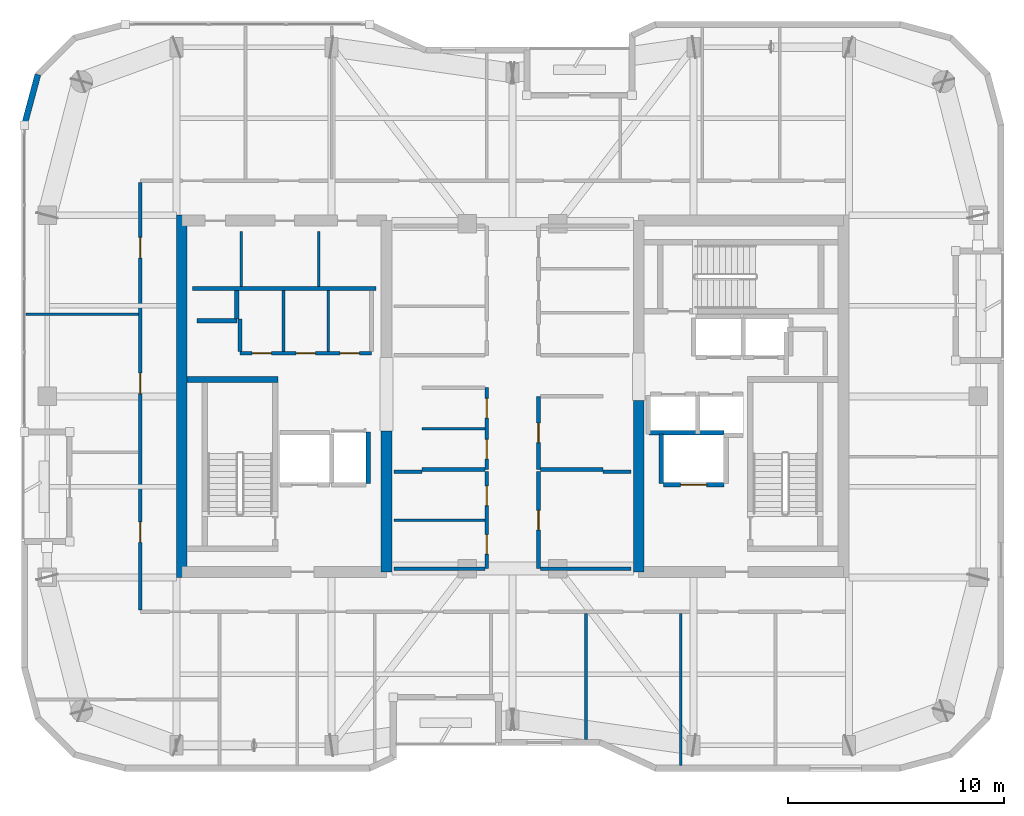
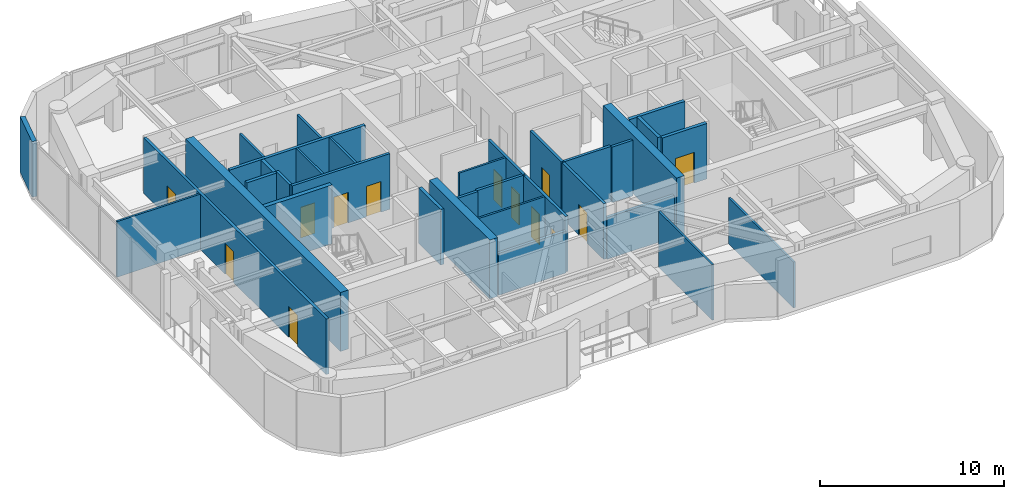
# One storey, part 11 of 16: 34 walls, 13 doors, 13 openings.
"""IFC4 building model written with IfcOpenShell, lengths in metres."""

from ifc_helpers import new_model, si_unit, direction, frame, frame_2d, origin, place, context, subcontext, project, spatial, rectangle, extrude, material, layer, layer_set, type_object, element, fill, save


model = new_model("IFC4")

# Units and contexts
model_context = context("Model", 3, precision=1e-05, world=origin(), true_north=direction((0.0, 1.0)))
body_context = subcontext(model_context, "Body", "Model", "MODEL_VIEW")
ifc_project = project(units=[si_unit("LENGTHUNIT", "METRE"), si_unit("AREAUNIT", "SQUARE_METRE"), si_unit("VOLUMEUNIT", "CUBIC_METRE"), si_unit("PLANEANGLEUNIT", "RADIAN"), si_unit("MASSUNIT", "GRAM", prefix="KILO")], contexts=[model_context])

# Site, building, storey
site_placement = place(None, origin())
site = spatial("IfcSite", under=ifc_project, at=site_placement, CompositionType="ELEMENT")
building_placement = place(site_placement, origin())
building = spatial("IfcBuilding", under=site, at=building_placement, Name="Kiyonajd Concourse Tower", CompositionType="ELEMENT")
storey_placement = place(building_placement, frame((0.0, 0.0, 302.39990234375)))
storey = spatial("IfcBuildingStorey", under=building, at=storey_placement, Name="L76", CompositionType="ELEMENT", Elevation=302.39990234375)

# Walls
ifc_material_1 = material(Name="Concrete C60/75", Category="concrete")
ifc_layer_1 = layer(ifc_material_1, 0.5)
ifc_layer_set_1 = layer_set([ifc_layer_1], Name="Concrete C60/75")
wall_type_1 = type_object("IfcWallType", Name="WL-CORE-500", PredefinedType="SHEAR", material=ifc_layer_set_1)
wall_1_placement = place(storey_placement, frame((32.64990234375, 27.60009765625, 0.0), z_axis=(0.0, 0.0, 1.0), x_axis=(0.0, 1.0, 0.0)))
element("IfcWall", 1, at=wall_1_placement, inside=storey, type_object=wall_type_1, Name="L76 West Core Outer Shear Wall", PredefinedType="SHEAR", context=body_context, shape_type="SweptSolid", body=[
    extrude(rectangle(XDim=16.7998046875, YDim=0.5, at=frame_2d((8.39990234375, 0.0))), origin(), (0.0, 0.0, 1.0), 3.900146484375),
])
wall_2_placement = place(storey_placement, frame((42.14990234375, 27.85009765625, 0.0), z_axis=(0.0, 0.0, 1.0), x_axis=(0.0, 1.0, 0.0)))
element("IfcWall", 2, at=wall_2_placement, inside=storey, type_object=wall_type_1, Name="L76 West Core Inner South Shear Wall", PredefinedType="SHEAR", context=body_context, shape_type="SweptSolid", body=[
    extrude(rectangle(XDim=6.5498046875, YDim=0.5, at=frame_2d((3.27490234375, 0.0))), origin(), (0.0, 0.0, 1.0), 3.900146484375),
])
wall_3_placement = place(storey_placement, frame((53.85009765625, 27.85009765625, 0.0), z_axis=(0.0, 0.0, 1.0), x_axis=(0.0, 1.0, 0.0)))
element("IfcWall", 3, at=wall_3_placement, inside=storey, type_object=wall_type_1, Name="L76 East Core Inner South Shear Wall", PredefinedType="SHEAR", context=body_context, shape_type="SweptSolid", body=[
    extrude(rectangle(XDim=7.949951171875, YDim=0.5, at=frame_2d((3.97509765625, 0.0))), origin(), (0.0, 0.0, 1.0), 3.900146484375),
])
ifc_material_2 = material(Name="Precast concrete C50/60", Category="concrete")
ifc_layer_2 = layer(ifc_material_2, 0.280029296875)
ifc_layer_set_2 = layer_set([ifc_layer_2], Name="Precast concrete C50/60")
wall_type_2 = type_object("IfcWallType", Name="WL-EXT-280", PredefinedType="SOLIDWALL", material=ifc_layer_set_2)
wall_4_placement = place(storey_placement, frame((25.340087890625, 48.58154296875, 0.0), z_axis=(0.0, 0.0, 1.0), x_axis=(0.258751159445, 0.965944013639, 0.0)))
element("IfcWall", 4, at=wall_4_placement, inside=storey, type_object=wall_type_2, Name="L76 Exterior Concrete Frame Wall 06", PredefinedType="SOLIDWALL", context=body_context, shape_type="SweptSolid", body=[
    extrude(rectangle(XDim=2.4287109375, YDim=0.280029296875, at=frame_2d((1.21435546875, 0.0))), origin(), (0.0, 0.0, 1.0), 3.68017578125),
])
ifc_material_3 = material(Name="Gypsum Board on Cold-Formed Steel Stud", Category="steel")
ifc_layer_3 = layer(ifc_material_3, 0.125)
ifc_layer_set_3 = layer_set([ifc_layer_3], Name="Gypsum Board on Cold-Formed Steel Stud")
wall_type_3 = type_object("IfcWallType", Name="WL-PART-125", PredefinedType="PARTITIONING", material=ifc_layer_set_3)
for number, where, z_axis, x_axis, name in (
    (5, (35.39990234375, 41.094970703125, 0.0), (0.0, 0.0, 1.0), (0.0, 1.0, 0.0), "L76 Interior Partition Wall"),
    (6, (39.0, 41.094970703125, 0.0), (0.0, 0.0, 1.0), (0.0, 1.0, 0.0), "L76 Interior Partition Wall"),
):
    element("IfcWall", number, at=place(storey_placement, frame(where, z_axis=z_axis, x_axis=x_axis)), inside=storey, type_object=wall_type_3, Name=name, PredefinedType="PARTITIONING", context=body_context, shape_type="SweptSolid", body=[
        extrude(rectangle(XDim=2.554931640625, YDim=0.125, at=frame_2d((1.27734375, 0.0))), origin(), (0.0, 0.0, 1.0), 3.68017578125),
    ])
for number, where, z_axis, x_axis, name in (
    (7, (37.363037109375, 38.0869140625, 0.0), (0.0, 0.0, 1.0), (0.0, 1.0, 0.0), "L76 Interior Partition Wall"),
    (8, (39.43701171875, 38.0869140625, 0.0), (0.0, 0.0, 1.0), (0.0, 1.0, 0.0), "L76 Interior Partition Wall"),
):
    element("IfcWall", number, at=place(storey_placement, frame(where, z_axis=z_axis, x_axis=x_axis)), inside=storey, type_object=wall_type_3, Name=name, PredefinedType="PARTITIONING", context=body_context, shape_type="SweptSolid", body=[
        extrude(rectangle(XDim=2.81298828125, YDim=0.125, at=frame_2d((1.406494140625, 0.0))), origin(), (0.0, 0.0, 1.0), 3.68017578125),
    ])
wall_5_placement = place(storey_placement, frame((43.800048828125, 34.5, 0.0), z_axis=(0.0, 0.0, 1.0), x_axis=(1.0, 0.0, 0.0)))
element("IfcWall", 9, at=wall_5_placement, inside=storey, type_object=wall_type_3, Name="L76 Interior Partition Wall", PredefinedType="PARTITIONING", context=body_context, shape_type="SweptSolid", body=[
    extrude(rectangle(XDim=2.912841796875, YDim=0.125, at=frame_2d((1.45654296875, 0.0))), origin(), (0.0, 0.0, 1.0), 3.68017578125),
])
wall_6_placement = place(storey_placement, frame((42.5, 30.25, 0.0), z_axis=(0.0, 0.0, 1.0), x_axis=(1.0, 0.0, 0.0)))
element("IfcWall", 10, at=wall_6_placement, inside=storey, type_object=wall_type_3, Name="L76 Interior Partition Wall", PredefinedType="PARTITIONING", context=body_context, shape_type="SweptSolid", body=[
    extrude(rectangle(XDim=4.212890625, YDim=0.125, at=frame_2d((2.1064453125, 0.0))), origin(), (0.0, 0.0, 1.0), 3.68017578125),
])
wall_7_placement = place(storey_placement, frame((51.39990234375, 20.074951171875, 0.0), z_axis=(0.0, 0.0, 1.0), x_axis=(0.0, 1.0, 0.0)))
element("IfcWall", 11, at=wall_7_placement, inside=storey, type_object=wall_type_3, Name="L76 Interior Partition Wall", PredefinedType="PARTITIONING", context=body_context, shape_type="SweptSolid", body=[
    extrude(rectangle(XDim=5.838134765625, YDim=0.125, at=frame_2d((2.9189453125, 0.0))), origin(), (0.0, 0.0, 1.0), 3.68017578125),
])
wall_8_placement = place(storey_placement, frame((55.800048828125, 18.875, 0.0), z_axis=(0.0, 0.0, 1.0), x_axis=(0.0, 1.0, 0.0)))
element("IfcWall", 12, at=wall_8_placement, inside=storey, type_object=wall_type_3, Name="L76 Interior Partition Wall", PredefinedType="PARTITIONING", context=body_context, shape_type="SweptSolid", body=[
    extrude(rectangle(XDim=7.0380859375, YDim=0.125, at=frame_2d((3.51904296875, 0.0))), origin(), (0.0, 0.0, 1.0), 3.043212890625),
])
wall_9_placement = place(storey_placement, frame((25.425048828125, 39.800048828125, 0.0), z_axis=(0.0, 0.0, 1.0), x_axis=(1.0, 0.0, 0.0)))
element("IfcWall", 13, at=wall_9_placement, inside=storey, type_object=wall_type_3, Name="L76 Interior Partition Wall", PredefinedType="PARTITIONING", context=body_context, shape_type="SweptSolid", body=[
    extrude(rectangle(XDim=5.212890625, YDim=0.125, at=frame_2d((2.6064453125, 0.0))), origin(), (0.0, 0.0, 1.0), 3.68017578125),
])
ifc_layer_4 = layer(ifc_material_3, 0.18994140625)
ifc_layer_set_4 = layer_set([ifc_layer_4], Name="Gypsum Board on Cold-Formed Steel Stud")
wall_type_4 = type_object("IfcWallType", Name="WL-PLMB-190", PredefinedType="PLUMBINGWALL", material=ifc_layer_set_4)
wall_10_placement = place(storey_placement, frame((33.14990234375, 41.0, 0.0), z_axis=(0.0, 0.0, 1.0), x_axis=(1.0, 0.0, 0.0)))
element("IfcWall", 14, at=wall_10_placement, inside=storey, type_object=wall_type_4, Name="L76 Interior Partition Wall", PredefinedType="PLUMBINGWALL", context=body_context, shape_type="SweptSolid", body=[
    extrude(rectangle(XDim=8.5, YDim=0.18994140625, at=frame_2d((4.25, 0.0))), origin(), (0.0, 0.0, 1.0), 3.68017578125),
])
ifc_layer_5 = layer(ifc_material_3, 0.2099609375)
ifc_layer_set_5 = layer_set([ifc_layer_5], Name="Gypsum Board on Cold-Formed Steel Stud")
wall_type_5 = type_object("IfcWallType", Name="WL-SHAFT-210", PredefinedType="PARTITIONING", material=ifc_layer_set_5)
wall_11_placement = place(storey_placement, frame((33.360107421875, 39.5, 0.0), z_axis=(0.0, 0.0, 1.0), x_axis=(1.0, 0.0, 0.0)))
element("IfcWall", 15, at=wall_11_placement, inside=storey, type_object=wall_type_5, Name="L76 Shaft Enclosure Wall", PredefinedType="PARTITIONING", context=body_context, shape_type="SweptSolid", body=[
    extrude(rectangle(XDim=1.85986328125, YDim=0.2099609375, at=frame_2d((0.929931640625, 0.0))), origin(), (0.0, 0.0, 1.0), 3.68017578125),
])
wall_12_placement = place(storey_placement, frame((35.199951171875, 39.580078125, 0.0), z_axis=(0.0, 0.0, 1.0), x_axis=(0.0, 1.0, 0.0)))
element("IfcWall", 16, at=wall_12_placement, inside=storey, type_object=wall_type_5, Name="L76 Shaft Enclosure Wall", PredefinedType="PARTITIONING", context=body_context, shape_type="SweptSolid", body=[
    extrude(rectangle(XDim=1.31982421875, YDim=0.2099609375, at=frame_2d((0.659912109375, 0.0))), origin(), (0.0, 0.0, 1.0), 3.68017578125),
])

# Wall, opening, door
wall_13_placement = place(storey_placement, frame((55.0, 31.89990234375, 0.0), z_axis=(0.0, 0.0, 1.0), x_axis=(1.0, 0.0, 0.0)))
wall_13 = element("IfcWall", 17, at=wall_13_placement, inside=storey, type_object=wall_type_5, Name="L76 Shaft Enclosure Wall", PredefinedType="PARTITIONING", context=body_context, shape_type="SweptSolid", body=[
    extrude(rectangle(XDim=2.800048828125, YDim=0.2099609375, at=frame_2d((1.39990234375, 0.0))), origin(), (0.0, 0.0, 1.0), 3.68017578125),
])
opening_1_placement = place(wall_13_placement, frame((0.800048828125, 0.0, 0.0)))
opening_1 = element("IfcOpeningElement", 18, at=opening_1_placement, cuts=wall_13, Name="Opening LD2", PredefinedType="OPENING", context=body_context, shape_type="SweptSolid", body=[
    extrude(rectangle(XDim=1.199951171875, YDim=2.0400390625, at=frame_2d((0.60009765625, 1.02001953125))), frame((0.0, 0.114990234375, 0.0), z_axis=(0.0, -1.0, 0.0), x_axis=(1.0, 0.0, 0.0)), (0.0, 0.0, 1.0), 0.22998046875),
])
ifc_material_4 = material(Name="Brushed Stainless Steel Cab Assembly", Category="steel")
door_type_1 = type_object("IfcDoorType", Name="DR-LD-1200", OperationType="DOUBLE_DOOR_SLIDING", PredefinedType="DOOR", material=ifc_material_4)
door_1_placement = place(opening_1_placement, origin())
door_1 = element("IfcDoor", 19, at=door_1_placement, inside=storey, type_object=door_type_1, Name="L76 Lift FFL2 Sliding Landing Door", OperationType="DOUBLE_DOOR_SLIDING", OverallHeight=2.0400390625, OverallWidth=1.199951171875, PredefinedType="DOOR", context=body_context, shape_type="SweptSolid", body=[
    extrude(rectangle(XDim=1.199951171875, YDim=2.0400390625, at=frame_2d((0.60009765625, 1.02001953125))), frame((0.0, 0.02490234375, 0.0), z_axis=(0.0, -1.0, 0.0), x_axis=(1.0, 0.0, 0.0)), (0.0, 0.0, 1.0), 0.050048828125),
])
fill(opening_1, door_1)

# Walls
wall_14_placement = place(storey_placement, frame((54.320068359375, 34.300048828125, 0.0), z_axis=(0.0, 0.0, 1.0), x_axis=(1.0, 0.0, 0.0)))
element("IfcWall", 20, at=wall_14_placement, inside=storey, type_object=wall_type_5, Name="L76 Shaft Enclosure Wall", PredefinedType="PARTITIONING", context=body_context, shape_type="SweptSolid", body=[
    extrude(rectangle(XDim=3.47998046875, YDim=0.2099609375, at=frame_2d((1.739990234375, 0.0))), origin(), (0.0, 0.0, 1.0), 3.68017578125),
])
wall_15_placement = place(storey_placement, frame((54.89990234375, 31.9599609375, 0.0), z_axis=(0.0, 0.0, 1.0), x_axis=(0.0, 1.0, 0.0)))
element("IfcWall", 21, at=wall_15_placement, inside=storey, type_object=wall_type_5, Name="L76 Shaft Enclosure Wall", PredefinedType="PARTITIONING", context=body_context, shape_type="SweptSolid", body=[
    extrude(rectangle(XDim=2.280029296875, YDim=0.2099609375, at=frame_2d((1.14013671875, 0.0))), origin(), (0.0, 0.0, 1.0), 3.68017578125),
])
wall_16_placement = place(storey_placement, frame((41.300048828125, 31.9599609375, 0.0), z_axis=(0.0, 0.0, 1.0), x_axis=(0.0, 1.0, 0.0)))
element("IfcWall", 22, at=wall_16_placement, inside=storey, type_object=wall_type_5, Name="L76 Shaft Enclosure Wall", PredefinedType="PARTITIONING", context=body_context, shape_type="SweptSolid", body=[
    extrude(rectangle(XDim=2.380126953125, YDim=0.2099609375, at=frame_2d((1.18994140625, 0.0))), origin(), (0.0, 0.0, 1.0), 3.68017578125),
])

# Wall, openings, doors
ifc_layer_6 = layer(ifc_material_3, 0.169921875)
ifc_layer_set_6 = layer_set([ifc_layer_6], Name="Gypsum Board on Cold-Formed Steel Stud")
wall_type_6 = type_object("IfcWallType", Name="WL-SMK-170", PredefinedType="PARTITIONING", material=ifc_layer_set_6)
wall_17_placement = place(storey_placement, frame((35.35009765625, 38.0, 0.0), z_axis=(0.0, 0.0, 1.0), x_axis=(1.0, 0.0, 0.0)))
wall_17 = element("IfcWall", 23, at=wall_17_placement, inside=storey, type_object=wall_type_6, Name="L76 Interior Partition Wall", PredefinedType="PARTITIONING", context=body_context, shape_type="SweptSolid", body=[
    extrude(rectangle(XDim=6.099853515625, YDim=0.169921875, at=frame_2d((3.0498046875, 0.0))), origin(), (0.0, 0.0, 1.0), 3.68017578125),
])
opening_2_placement = place(wall_17_placement, frame((0.555908203125, 0.0, 0.0)))
opening_2 = element("IfcOpeningElement", 24, at=opening_2_placement, cuts=wall_17, Name="Opening DI2", PredefinedType="OPENING", context=body_context, shape_type="SweptSolid", body=[
    extrude(rectangle(XDim=0.89990234375, YDim=2.02001953125, at=frame_2d((0.449951171875, 1.010009765625))), frame((0.0, 0.094970703125, 0.0), z_axis=(0.0, -1.0, 0.0), x_axis=(1.0, 0.0, 0.0)), (0.0, 0.0, 1.0), 0.18994140625),
])
opening_3_placement = place(wall_17_placement, frame((2.60009765625, 0.0, 0.0)))
opening_3 = element("IfcOpeningElement", 25, at=opening_3_placement, cuts=wall_17, Name="Opening DI2", PredefinedType="OPENING", context=body_context, shape_type="SweptSolid", body=[
    extrude(rectangle(XDim=0.89990234375, YDim=2.02001953125, at=frame_2d((0.449951171875, 1.010009765625))), frame((0.0, 0.094970703125, 0.0), z_axis=(0.0, -1.0, 0.0), x_axis=(1.0, 0.0, 0.0)), (0.0, 0.0, 1.0), 0.18994140625),
])
opening_4_placement = place(wall_17_placement, frame((4.64306640625, 0.0, 0.0)))
opening_4 = element("IfcOpeningElement", 26, at=opening_4_placement, cuts=wall_17, Name="Opening DI2", PredefinedType="OPENING", context=body_context, shape_type="SweptSolid", body=[
    extrude(rectangle(XDim=0.89990234375, YDim=2.02001953125, at=frame_2d((0.449951171875, 1.010009765625))), frame((0.0, 0.094970703125, 0.0), z_axis=(0.0, -1.0, 0.0), x_axis=(1.0, 0.0, 0.0)), (0.0, 0.0, 1.0), 0.18994140625),
])
ifc_material_5 = material(Name="Natural Oak Acoustic Timber Veneer", Category="wood")
door_type_2 = type_object("IfcDoorType", Name="DR-INT-900", OperationType="NOTDEFINED", PredefinedType="DOOR", material=ifc_material_5)
door_2_placement = place(opening_2_placement, origin())
door_2 = element("IfcDoor", 27, at=door_2_placement, inside=storey, type_object=door_type_2, Name="L76 Interior Door", OperationType="SINGLE_SWING_LEFT", OverallHeight=2.02001953125, OverallWidth=0.89990234375, PredefinedType="DOOR", context=body_context, shape_type="SweptSolid", body=[
    extrude(rectangle(XDim=0.89990234375, YDim=2.02001953125, at=frame_2d((0.449951171875, 1.010009765625))), frame((0.0, 0.02490234375, 0.0), z_axis=(0.0, -1.0, 0.0), x_axis=(1.0, 0.0, 0.0)), (0.0, 0.0, 1.0), 0.050048828125),
])
fill(opening_2, door_2)
door_3_placement = place(opening_3_placement, origin())
door_3 = element("IfcDoor", 28, at=door_3_placement, inside=storey, type_object=door_type_2, Name="L76 Interior Door", OperationType="SINGLE_SWING_RIGHT", OverallHeight=2.02001953125, OverallWidth=0.89990234375, PredefinedType="DOOR", context=body_context, shape_type="SweptSolid", body=[
    extrude(rectangle(XDim=0.89990234375, YDim=2.02001953125, at=frame_2d((0.449951171875, 1.010009765625))), frame((0.0, 0.02490234375, 0.0), z_axis=(0.0, -1.0, 0.0), x_axis=(1.0, 0.0, 0.0)), (0.0, 0.0, 1.0), 0.050048828125),
])
fill(opening_3, door_3)
door_4_placement = place(opening_4_placement, origin())
door_4 = element("IfcDoor", 29, at=door_4_placement, inside=storey, type_object=door_type_2, Name="L76 Interior Door", OperationType="SINGLE_SWING_LEFT", OverallHeight=2.02001953125, OverallWidth=0.89990234375, PredefinedType="DOOR", context=body_context, shape_type="SweptSolid", body=[
    extrude(rectangle(XDim=0.89990234375, YDim=2.02001953125, at=frame_2d((0.449951171875, 1.010009765625))), frame((0.0, 0.02490234375, 0.0), z_axis=(0.0, -1.0, 0.0), x_axis=(1.0, 0.0, 0.0)), (0.0, 0.0, 1.0), 0.050048828125),
])
fill(opening_4, door_4)

# Wall
wall_18_placement = place(storey_placement, frame((35.35009765625, 38.0869140625, 0.0), z_axis=(0.0, 0.0, 1.0), x_axis=(0.0, 1.0, 0.0)))
element("IfcWall", 30, at=wall_18_placement, inside=storey, type_object=wall_type_6, Name="L76 Interior Partition Wall", PredefinedType="PARTITIONING", context=body_context, shape_type="SweptSolid", body=[
    extrude(rectangle(XDim=1.4931640625, YDim=0.169921875, at=frame_2d((0.74658203125, 0.0))), origin(), (0.0, 0.0, 1.0), 3.68017578125),
])

# Wall, openings, doors
wall_19_placement = place(storey_placement, frame((46.800048828125, 32.60009765625, 0.0), z_axis=(0.0, 0.0, 1.0), x_axis=(0.0, 1.0, 0.0)))
wall_19 = element("IfcWall", 31, at=wall_19_placement, inside=storey, type_object=wall_type_6, Name="L76 Interior Partition Wall", PredefinedType="PARTITIONING", context=body_context, shape_type="SweptSolid", body=[
    extrude(rectangle(XDim=3.7998046875, YDim=0.169921875, at=frame_2d((1.89990234375, 0.0))), origin(), (0.0, 0.0, 1.0), 3.68017578125),
])
opening_5_placement = place(wall_19_placement, frame((0.5, 0.0, 0.0)))
opening_5 = element("IfcOpeningElement", 32, at=opening_5_placement, cuts=wall_19, Name="Opening DI2", PredefinedType="OPENING", context=body_context, shape_type="SweptSolid", body=[
    extrude(rectangle(XDim=0.89990234375, YDim=2.02001953125, at=frame_2d((0.449951171875, 1.010009765625))), frame((0.0, 0.094970703125, 0.0), z_axis=(0.0, -1.0, 0.0), x_axis=(1.0, 0.0, 0.0)), (0.0, 0.0, 1.0), 0.18994140625),
])
opening_6_placement = place(wall_19_placement, frame((2.39990234375, 0.0, 0.0)))
opening_6 = element("IfcOpeningElement", 33, at=opening_6_placement, cuts=wall_19, Name="Opening DI2", PredefinedType="OPENING", context=body_context, shape_type="SweptSolid", body=[
    extrude(rectangle(XDim=0.89990234375, YDim=2.02001953125, at=frame_2d((0.449951171875, 1.010009765625))), frame((0.0, 0.094970703125, 0.0), z_axis=(0.0, -1.0, 0.0), x_axis=(1.0, 0.0, 0.0)), (0.0, 0.0, 1.0), 0.18994140625),
])
door_5_placement = place(opening_5_placement, origin())
door_5 = element("IfcDoor", 34, at=door_5_placement, inside=storey, type_object=door_type_2, Name="L76 Interior Door", OperationType="SINGLE_SWING_RIGHT", OverallHeight=2.02001953125, OverallWidth=0.89990234375, PredefinedType="DOOR", context=body_context, shape_type="SweptSolid", body=[
    extrude(rectangle(XDim=0.89990234375, YDim=2.02001953125, at=frame_2d((0.449951171875, 1.010009765625))), frame((0.0, 0.02490234375, 0.0), z_axis=(0.0, -1.0, 0.0), x_axis=(1.0, 0.0, 0.0)), (0.0, 0.0, 1.0), 0.050048828125),
])
fill(opening_5, door_5)
door_6_placement = place(opening_6_placement, origin())
door_6 = element("IfcDoor", 35, at=door_6_placement, inside=storey, type_object=door_type_2, Name="L76 Interior Door", OperationType="SINGLE_SWING_LEFT", OverallHeight=2.02001953125, OverallWidth=0.89990234375, PredefinedType="DOOR", context=body_context, shape_type="SweptSolid", body=[
    extrude(rectangle(XDim=0.89990234375, YDim=2.02001953125, at=frame_2d((0.449951171875, 1.010009765625))), frame((0.0, 0.02490234375, 0.0), z_axis=(0.0, -1.0, 0.0), x_axis=(1.0, 0.0, 0.0)), (0.0, 0.0, 1.0), 0.050048828125),
])
fill(opening_6, door_6)

# Wall
wall_20_placement = place(storey_placement, frame((43.800048828125, 32.60009765625, 0.0), z_axis=(0.0, 0.0, 1.0), x_axis=(1.0, 0.0, 0.0)))
element("IfcWall", 36, at=wall_20_placement, inside=storey, type_object=wall_type_6, Name="L76 Interior Partition Wall", PredefinedType="PARTITIONING", context=body_context, shape_type="SweptSolid", body=[
    extrude(rectangle(XDim=2.912841796875, YDim=0.169921875, at=frame_2d((1.45654296875, 0.0))), origin(), (0.0, 0.0, 1.0), 3.68017578125),
])

# Wall, opening, door
wall_21_placement = place(storey_placement, frame((49.199951171875, 32.60009765625, 0.0), z_axis=(0.0, 0.0, 1.0), x_axis=(0.0, 1.0, 0.0)))
wall_21 = element("IfcWall", 37, at=wall_21_placement, inside=storey, type_object=wall_type_6, Name="L76 Interior Partition Wall", PredefinedType="PARTITIONING", context=body_context, shape_type="SweptSolid", body=[
    extrude(rectangle(XDim=3.39990234375, YDim=0.169921875, at=frame_2d((1.699951171875, 0.0))), origin(), (0.0, 0.0, 1.0), 3.68017578125),
])
opening_7_placement = place(wall_21_placement, frame((1.25, 0.0, 0.0)))
opening_7 = element("IfcOpeningElement", 38, at=opening_7_placement, cuts=wall_21, Name="Opening DI2", PredefinedType="OPENING", context=body_context, shape_type="SweptSolid", body=[
    extrude(rectangle(XDim=0.89990234375, YDim=2.02001953125, at=frame_2d((0.449951171875, 1.010009765625))), frame((0.0, 0.094970703125, 0.0), z_axis=(0.0, -1.0, 0.0), x_axis=(1.0, 0.0, 0.0)), (0.0, 0.0, 1.0), 0.18994140625),
])
door_7_placement = place(opening_7_placement, origin())
door_7 = element("IfcDoor", 39, at=door_7_placement, inside=storey, type_object=door_type_2, Name="L76 Interior Door", OperationType="SINGLE_SWING_RIGHT", OverallHeight=2.02001953125, OverallWidth=0.89990234375, PredefinedType="DOOR", context=body_context, shape_type="SweptSolid", body=[
    extrude(rectangle(XDim=0.89990234375, YDim=2.02001953125, at=frame_2d((0.449951171875, 1.010009765625))), frame((0.0, 0.02490234375, 0.0), z_axis=(0.0, -1.0, 0.0), x_axis=(1.0, 0.0, 0.0)), (0.0, 0.0, 1.0), 0.050048828125),
])
fill(opening_7, door_7)

# Wall
wall_22_placement = place(storey_placement, frame((49.287109375, 32.60009765625, 0.0), z_axis=(0.0, 0.0, 1.0), x_axis=(1.0, 0.0, 0.0)))
element("IfcWall", 40, at=wall_22_placement, inside=storey, type_object=wall_type_6, Name="L76 Interior Partition Wall", PredefinedType="PARTITIONING", context=body_context, shape_type="SweptSolid", body=[
    extrude(rectangle(XDim=2.912841796875, YDim=0.169921875, at=frame_2d((1.45654296875, 0.0))), origin(), (0.0, 0.0, 1.0), 3.68017578125),
])

# Wall, openings, doors
wall_23_placement = place(storey_placement, frame((46.800048828125, 28.0, 0.0), z_axis=(0.0, 0.0, 1.0), x_axis=(0.0, 1.0, 0.0)))
wall_23 = element("IfcWall", 41, at=wall_23_placement, inside=storey, type_object=wall_type_6, Name="L76 Interior Partition Wall", PredefinedType="PARTITIONING", context=body_context, shape_type="SweptSolid", body=[
    extrude(rectangle(XDim=4.5, YDim=0.169921875, at=frame_2d((2.25, 0.0))), origin(), (0.0, 0.0, 1.0), 3.68017578125),
])
opening_8_placement = place(wall_23_placement, frame((0.675048828125, 0.0, 0.0)))
opening_8 = element("IfcOpeningElement", 42, at=opening_8_placement, cuts=wall_23, Name="Opening DI2", PredefinedType="OPENING", context=body_context, shape_type="SweptSolid", body=[
    extrude(rectangle(XDim=0.89990234375, YDim=2.02001953125, at=frame_2d((0.449951171875, 1.010009765625))), frame((0.0, 0.094970703125, 0.0), z_axis=(0.0, -1.0, 0.0), x_axis=(1.0, 0.0, 0.0)), (0.0, 0.0, 1.0), 0.18994140625),
])
opening_9_placement = place(wall_23_placement, frame((2.925048828125, 0.0, 0.0)))
opening_9 = element("IfcOpeningElement", 43, at=opening_9_placement, cuts=wall_23, Name="Opening DI2", PredefinedType="OPENING", context=body_context, shape_type="SweptSolid", body=[
    extrude(rectangle(XDim=0.89990234375, YDim=2.02001953125, at=frame_2d((0.449951171875, 1.010009765625))), frame((0.0, 0.094970703125, 0.0), z_axis=(0.0, -1.0, 0.0), x_axis=(1.0, 0.0, 0.0)), (0.0, 0.0, 1.0), 0.18994140625),
])
door_8_placement = place(opening_8_placement, origin())
door_8 = element("IfcDoor", 44, at=door_8_placement, inside=storey, type_object=door_type_2, Name="L76 Interior Door", OperationType="SINGLE_SWING_LEFT", OverallHeight=2.02001953125, OverallWidth=0.89990234375, PredefinedType="DOOR", context=body_context, shape_type="SweptSolid", body=[
    extrude(rectangle(XDim=0.89990234375, YDim=2.02001953125, at=frame_2d((0.449951171875, 1.010009765625))), frame((0.0, 0.02490234375, 0.0), z_axis=(0.0, -1.0, 0.0), x_axis=(1.0, 0.0, 0.0)), (0.0, 0.0, 1.0), 0.050048828125),
])
fill(opening_8, door_8)
door_9_placement = place(opening_9_placement, origin())
door_9 = element("IfcDoor", 45, at=door_9_placement, inside=storey, type_object=door_type_2, Name="L76 Interior Door", OperationType="SINGLE_SWING_RIGHT", OverallHeight=2.02001953125, OverallWidth=0.89990234375, PredefinedType="DOOR", context=body_context, shape_type="SweptSolid", body=[
    extrude(rectangle(XDim=0.89990234375, YDim=2.02001953125, at=frame_2d((0.449951171875, 1.010009765625))), frame((0.0, 0.02490234375, 0.0), z_axis=(0.0, -1.0, 0.0), x_axis=(1.0, 0.0, 0.0)), (0.0, 0.0, 1.0), 0.050048828125),
])
fill(opening_9, door_9)

# Walls
wall_24_placement = place(storey_placement, frame((42.5, 28.0, 0.0), z_axis=(0.0, 0.0, 1.0), x_axis=(1.0, 0.0, 0.0)))
element("IfcWall", 46, at=wall_24_placement, inside=storey, type_object=wall_type_6, Name="L76 Interior Partition Wall", PredefinedType="PARTITIONING", context=body_context, shape_type="SweptSolid", body=[
    extrude(rectangle(XDim=4.212890625, YDim=0.169921875, at=frame_2d((2.1064453125, 0.0))), origin(), (0.0, 0.0, 1.0), 2.76513671875),
])
wall_25_placement = place(storey_placement, frame((42.5, 32.5, 0.0), z_axis=(0.0, 0.0, 1.0), x_axis=(1.0, 0.0, 0.0)))
element("IfcWall", 47, at=wall_25_placement, inside=storey, type_object=wall_type_6, Name="L76 Interior Partition Wall", PredefinedType="PARTITIONING", context=body_context, shape_type="SweptSolid", body=[
    extrude(rectangle(XDim=1.300048828125, YDim=0.169921875, at=frame_2d((0.64990234375, 0.0))), origin(), (0.0, 0.0, 1.0), 3.68017578125),
])

# Wall, opening, door
wall_26_placement = place(storey_placement, frame((49.199951171875, 28.0, 0.0), z_axis=(0.0, 0.0, 1.0), x_axis=(0.0, 1.0, 0.0)))
wall_26 = element("IfcWall", 48, at=wall_26_placement, inside=storey, type_object=wall_type_6, Name="L76 Interior Partition Wall", PredefinedType="PARTITIONING", context=body_context, shape_type="SweptSolid", body=[
    extrude(rectangle(XDim=4.5, YDim=0.169921875, at=frame_2d((2.25, 0.0))), origin(), (0.0, 0.0, 1.0), 3.68017578125),
])
opening_10_placement = place(wall_26_placement, frame((1.800048828125, 0.0, 0.0)))
opening_10 = element("IfcOpeningElement", 49, at=opening_10_placement, cuts=wall_26, Name="Opening DI2", PredefinedType="OPENING", context=body_context, shape_type="SweptSolid", body=[
    extrude(rectangle(XDim=0.89990234375, YDim=2.02001953125, at=frame_2d((0.449951171875, 1.010009765625))), frame((0.0, 0.094970703125, 0.0), z_axis=(0.0, -1.0, 0.0), x_axis=(1.0, 0.0, 0.0)), (0.0, 0.0, 1.0), 0.18994140625),
])
door_10_placement = place(opening_10_placement, origin())
door_10 = element("IfcDoor", 50, at=door_10_placement, inside=storey, type_object=door_type_2, Name="L76 Interior Door", OperationType="SINGLE_SWING_LEFT", OverallHeight=2.02001953125, OverallWidth=0.89990234375, PredefinedType="DOOR", context=body_context, shape_type="SweptSolid", body=[
    extrude(rectangle(XDim=0.89990234375, YDim=2.02001953125, at=frame_2d((0.449951171875, 1.010009765625))), frame((0.0, 0.02490234375, 0.0), z_axis=(0.0, -1.0, 0.0), x_axis=(1.0, 0.0, 0.0)), (0.0, 0.0, 1.0), 0.050048828125),
])
fill(opening_10, door_10)

# Walls
wall_27_placement = place(storey_placement, frame((49.287109375, 28.0, 0.0), z_axis=(0.0, 0.0, 1.0), x_axis=(1.0, 0.0, 0.0)))
element("IfcWall", 51, at=wall_27_placement, inside=storey, type_object=wall_type_6, Name="L76 Interior Partition Wall", PredefinedType="PARTITIONING", context=body_context, shape_type="SweptSolid", body=[
    extrude(rectangle(XDim=4.212890625, YDim=0.169921875, at=frame_2d((2.1064453125, 0.0))), origin(), (0.0, 0.0, 1.0), 2.76513671875),
])
wall_28_placement = place(storey_placement, frame((52.199951171875, 32.5, 0.0), z_axis=(0.0, 0.0, 1.0), x_axis=(1.0, 0.0, 0.0)))
element("IfcWall", 52, at=wall_28_placement, inside=storey, type_object=wall_type_6, Name="L76 Interior Partition Wall", PredefinedType="PARTITIONING", context=body_context, shape_type="SweptSolid", body=[
    extrude(rectangle(XDim=1.300048828125, YDim=0.169921875, at=frame_2d((0.64990234375, 0.0))), origin(), (0.0, 0.0, 1.0), 3.68017578125),
])

# Wall, openings, doors
wall_29_placement = place(storey_placement, frame((30.72509765625, 26.0869140625, 0.0), z_axis=(0.0, 0.0, 1.0), x_axis=(0.0, 1.0, 0.0)))
wall_29 = element("IfcWall", 53, at=wall_29_placement, inside=storey, type_object=wall_type_6, Name="L76 Interior Partition Wall", PredefinedType="PARTITIONING", context=body_context, shape_type="SweptSolid", body=[
    extrude(rectangle(XDim=19.826171875, YDim=0.169921875, at=frame_2d((9.9130859375, 0.0))), origin(), (0.0, 0.0, 1.0), 3.68017578125),
])
opening_11_placement = place(wall_29_placement, frame((3.137939453125, 0.0, 0.0)))
opening_11 = element("IfcOpeningElement", 54, at=opening_11_placement, cuts=wall_29, Name="Opening DI1", PredefinedType="OPENING", context=body_context, shape_type="SweptSolid", body=[
    extrude(rectangle(XDim=0.949951171875, YDim=2.0400390625, at=frame_2d((0.47509765625, 1.02001953125))), frame((0.0, 0.094970703125, 0.0), z_axis=(0.0, -1.0, 0.0), x_axis=(1.0, 0.0, 0.0)), (0.0, 0.0, 1.0), 0.18994140625),
])
opening_12_placement = place(wall_29_placement, frame((10.0380859375, 0.0, 0.0)))
opening_12 = element("IfcOpeningElement", 55, at=opening_12_placement, cuts=wall_29, Name="Opening DI1", PredefinedType="OPENING", context=body_context, shape_type="SweptSolid", body=[
    extrude(rectangle(XDim=0.949951171875, YDim=2.0400390625, at=frame_2d((0.47509765625, 1.02001953125))), frame((0.0, 0.094970703125, 0.0), z_axis=(0.0, -1.0, 0.0), x_axis=(1.0, 0.0, 0.0)), (0.0, 0.0, 1.0), 0.18994140625),
])
opening_13_placement = place(wall_29_placement, frame((16.337890625, 0.0, 0.0)))
opening_13 = element("IfcOpeningElement", 56, at=opening_13_placement, cuts=wall_29, Name="Opening DI1", PredefinedType="OPENING", context=body_context, shape_type="SweptSolid", body=[
    extrude(rectangle(XDim=0.949951171875, YDim=2.0400390625, at=frame_2d((0.47509765625, 1.02001953125))), frame((0.0, 0.094970703125, 0.0), z_axis=(0.0, -1.0, 0.0), x_axis=(1.0, 0.0, 0.0)), (0.0, 0.0, 1.0), 0.18994140625),
])
door_type_3 = type_object("IfcDoorType", Name="DR-INT-950", OperationType="NOTDEFINED", PredefinedType="DOOR", material=ifc_material_5)
door_11_placement = place(opening_11_placement, origin())
door_11 = element("IfcDoor", 57, at=door_11_placement, inside=storey, type_object=door_type_3, Name="L76 Interior Door", OperationType="SINGLE_SWING_LEFT", OverallHeight=2.0400390625, OverallWidth=0.949951171875, PredefinedType="DOOR", context=body_context, shape_type="SweptSolid", body=[
    extrude(rectangle(XDim=0.949951171875, YDim=2.0400390625, at=frame_2d((0.47509765625, 1.02001953125))), frame((0.0, 0.02490234375, 0.0), z_axis=(0.0, -1.0, 0.0), x_axis=(1.0, 0.0, 0.0)), (0.0, 0.0, 1.0), 0.050048828125),
])
fill(opening_11, door_11)
door_12_placement = place(opening_12_placement, origin())
door_12 = element("IfcDoor", 58, at=door_12_placement, inside=storey, type_object=door_type_3, Name="L76 Interior Door", OperationType="SINGLE_SWING_RIGHT", OverallHeight=2.0400390625, OverallWidth=0.949951171875, PredefinedType="DOOR", context=body_context, shape_type="SweptSolid", body=[
    extrude(rectangle(XDim=0.949951171875, YDim=2.0400390625, at=frame_2d((0.47509765625, 1.02001953125))), frame((0.0, 0.02490234375, 0.0), z_axis=(0.0, -1.0, 0.0), x_axis=(1.0, 0.0, 0.0)), (0.0, 0.0, 1.0), 0.050048828125),
])
fill(opening_12, door_12)
door_13_placement = place(opening_13_placement, origin())
door_13 = element("IfcDoor", 59, at=door_13_placement, inside=storey, type_object=door_type_3, Name="L76 Interior Door", OperationType="SINGLE_SWING_LEFT", OverallHeight=2.0400390625, OverallWidth=0.949951171875, PredefinedType="DOOR", context=body_context, shape_type="SweptSolid", body=[
    extrude(rectangle(XDim=0.949951171875, YDim=2.0400390625, at=frame_2d((0.47509765625, 1.02001953125))), frame((0.0, 0.02490234375, 0.0), z_axis=(0.0, -1.0, 0.0), x_axis=(1.0, 0.0, 0.0)), (0.0, 0.0, 1.0), 0.050048828125),
])
fill(opening_13, door_13)

# Wall
ifc_material_6 = material(Name="Concrete C50/60", Category="concrete")
ifc_layer_7 = layer(ifc_material_6, 0.260009765625)
ifc_layer_set_7 = layer_set([ifc_layer_7], Name="Concrete C50/60")
wall_type_7 = type_object("IfcWallType", Name="WL-STAIR-260", PredefinedType="SHEAR", material=ifc_layer_set_7)
wall_30_placement = place(storey_placement, frame((32.89990234375, 36.780029296875, 0.0), z_axis=(0.0, 0.0, 1.0), x_axis=(1.0, 0.0, 0.0)))
element("IfcWall", 60, at=wall_30_placement, inside=storey, type_object=wall_type_7, Name="L76 Stair ST1 Structural North Wall", PredefinedType="SHEAR", context=body_context, shape_type="SweptSolid", body=[
    extrude(rectangle(XDim=4.210205078125, YDim=0.260009765625, at=frame_2d((2.10498046875, 0.0))), origin(), (0.0, 0.0, 1.0), 3.900146484375),
])

save(model, "model.ifc")
